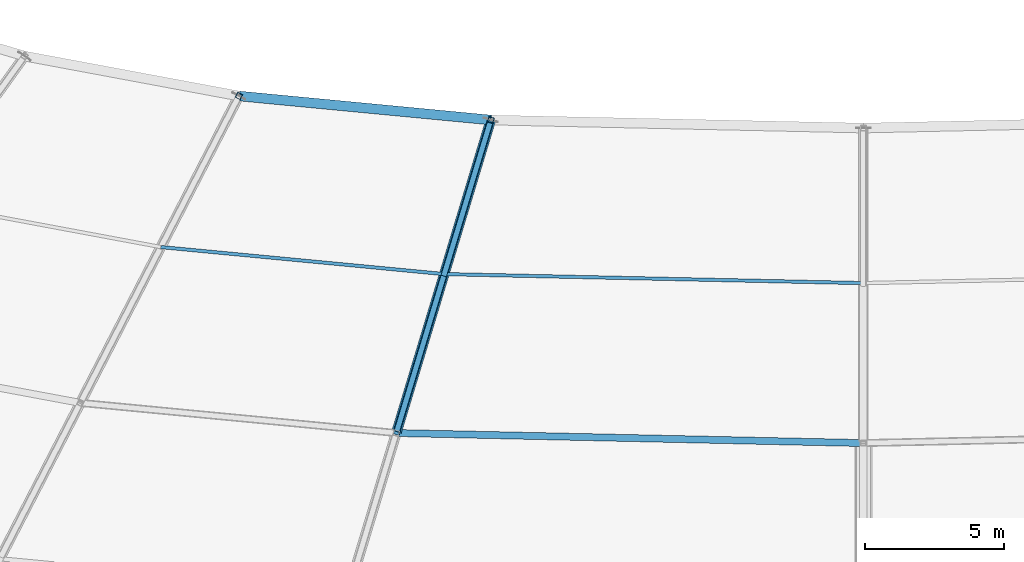
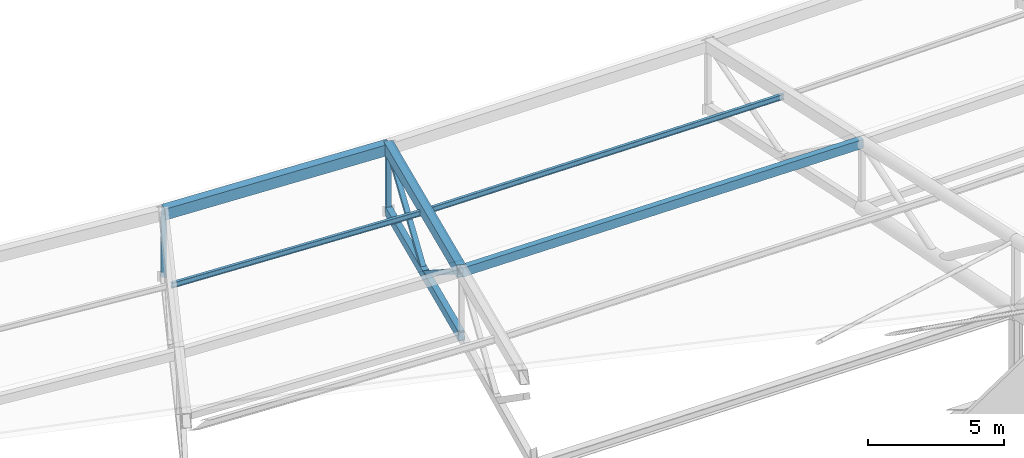
# One storey, part 32 of 143: 6 members, 4 beams.
"""IFC4 building model written with IfcOpenShell, lengths in metres."""

from ifc_helpers import new_model, si_unit, direction, frame, origin, origin_2d, place, context, subcontext, project, spatial, hollow_rectangle, i_section, extrude, material, material_profile, profile_set, type_object, element, save


model = new_model("IFC4")

# Units and contexts
model_context = context("Model", 3, precision=1e-05, world=origin(), true_north=direction((0.0, 1.0)))
body_context = subcontext(model_context, "Body", "Model", "MODEL_VIEW")
ifc_project = project(units=[si_unit("LENGTHUNIT", "METRE"), si_unit("AREAUNIT", "SQUARE_METRE"), si_unit("VOLUMEUNIT", "CUBIC_METRE"), si_unit("PLANEANGLEUNIT", "RADIAN"), si_unit("MASSUNIT", "GRAM", prefix="KILO")], contexts=[model_context])

# Site, building, storey
site_placement = place(None, origin())
site = spatial("IfcSite", under=ifc_project, at=site_placement, CompositionType="ELEMENT")
building_placement = place(site_placement, origin())
building = spatial("IfcBuilding", under=site, at=building_placement, Name="Mphavela Belvedere Stadium", CompositionType="ELEMENT")
storey_placement = place(building_placement, frame((0.0, 0.0, 28.800048828125)))
storey = spatial("IfcBuildingStorey", under=building, at=storey_placement, Name="RF", CompositionType="ELEMENT", Elevation=28.800048828125)

# Beams
ifc_material_1 = material(Name="Steel S355", Category="steel")
ifc_material_profile_1 = material_profile(ifc_material_1, hollow_rectangle(XDim=0.35009765625, YDim=0.5, WallThickness=0.02001953125, at=origin_2d()), Name="RHS 500x350x20")
ifc_profile_set_1 = profile_set([ifc_material_profile_1], Name="Steel S355")
beam_type_1 = type_object("IfcBeamType", Name="BM-RING-IN", PredefinedType="BEAM", material=ifc_profile_set_1)
beam_1_placement = place(storey_placement, frame((92.616455078125, 43.668701171875, 6.90673828125), z_axis=(0.994977937372, -0.094866111189, 0.03192687099), x_axis=(0.094914497887, 0.995485428367, 0.0)))
element("IfcBeam", 1, at=beam_1_placement, inside=storey, type_object=beam_type_1, Name="Inner tension ring beam RB-IN-35", PredefinedType="BEAM", context=body_context, shape_type="SweptSolid", body=[
    extrude(hollow_rectangle(XDim=0.35009765625, YDim=0.5, WallThickness=0.02001953125, at=origin_2d()), origin(), (0.0, 0.0, 1.0), 9.076904296875),
])
ifc_material_2 = material(Name="Steel S355", Category="steel")
ifc_material_profile_2 = material_profile(ifc_material_2, hollow_rectangle(XDim=0.25, YDim=0.39990234375, WallThickness=0.01611328125, at=origin_2d()), Name="RHS 400x250x16")
ifc_profile_set_2 = profile_set([ifc_material_profile_2], Name="Steel S355")
beam_type_2 = type_object("IfcBeamType", Name="BM-RING-MID", PredefinedType="BEAM", material=ifc_profile_set_2)
beam_2_placement = place(storey_placement, frame((98.257568359375, 31.586669921875, 9.63427734375), z_axis=(0.999741146043, -0.021517679857, 0.007391235561), x_axis=(0.02151826764, 0.999768455272, 0.0)))
element("IfcBeam", 2, at=beam_2_placement, inside=storey, type_object=beam_type_2, Name="Intermediate roof ring beam RB-MID-36", PredefinedType="BEAM", context=body_context, shape_type="SweptSolid", body=[
    extrude(hollow_rectangle(XDim=0.25, YDim=0.39990234375, WallThickness=0.01611328125, at=origin_2d()), origin(), (0.0, 0.0, 1.0), 16.746826171875),
])
ifc_material_3 = material(Name="Steel S355", Category="steel")
ifc_material_profile_3 = material_profile(ifc_material_3, hollow_rectangle(XDim=0.25, YDim=0.39990234375, WallThickness=0.01611328125, at=origin_2d()), Name="RHS 400x250x16")
ifc_profile_set_3 = profile_set([ifc_material_profile_3], Name="Steel S355")
beam_type_3 = type_object("IfcBeamType", Name="BM-TRUSS-BC2", PredefinedType="BEAM", material=ifc_profile_set_3)
beam_3_placement = place(storey_placement, frame((98.257568359375, 31.586669921875, 6.734375), z_axis=(0.283393510492, 0.937998641489, -0.199616298871), x_axis=(-0.957264409521, 0.289214194439, 0.0)))
element("IfcBeam", 3, at=beam_3_placement, inside=storey, type_object=beam_type_3, Name="Radial roof truss RT-36 bottom chord 3", PredefinedType="BEAM", context=body_context, shape_type="SweptSolid", body=[
    extrude(hollow_rectangle(XDim=0.25, YDim=0.39990234375, WallThickness=0.01611328125, at=origin_2d()), origin(), (0.0, 0.0, 1.0), 11.962646484375),
])
ifc_material_4 = material(Name="Steel S355", Category="steel")
ifc_material_profile_4 = material_profile(ifc_material_4, hollow_rectangle(XDim=0.35009765625, YDim=0.5, WallThickness=0.02001953125, at=origin_2d()), Name="RHS 500x350x20")
ifc_profile_set_4 = profile_set([ifc_material_profile_4], Name="Steel S355")
beam_type_4 = type_object("IfcBeamType", Name="BM-TRUSS-TC2", PredefinedType="BEAM", material=ifc_profile_set_4)
beam_4_placement = place(storey_placement, frame((98.257568359375, 31.586669921875, 9.63427734375), z_axis=(0.283155833182, 0.937211958007, -0.20360874221), x_axis=(-0.957264409521, 0.289214194439, 0.0)))
element("IfcBeam", 4, at=beam_4_placement, inside=storey, type_object=beam_type_4, Name="Radial roof truss RT-36 top chord 3", PredefinedType="BEAM", context=body_context, shape_type="SweptSolid", body=[
    extrude(hollow_rectangle(XDim=0.35009765625, YDim=0.5, WallThickness=0.02001953125, at=origin_2d()), origin(), (0.0, 0.0, 1.0), 11.97265625),
])

# Members
ifc_material_5 = material(Name="Steel S355", Category="steel")
ifc_material_profile_5 = material_profile(ifc_material_5, hollow_rectangle(XDim=0.199951171875, YDim=0.199951171875, WallThickness=0.010009765625, at=origin_2d()), Name="SHS 200x200x10")
ifc_profile_set_5 = profile_set([ifc_material_profile_5], Name="Steel S355")
member_type_1 = type_object("IfcMemberType", Name="MEM-POST-SHS200", PredefinedType="POST", material=ifc_profile_set_5)
member_1_placement = place(storey_placement, frame((92.616455078125, 43.668701171875, 4.056884765625), z_axis=(0.0, 0.0, 1.0), x_axis=(-0.458959712465, -0.888457079624, 0.0)))
element("IfcMember", 5, at=member_1_placement, inside=storey, type_object=member_type_1, Name="Radial roof truss RT-35 post P4", PredefinedType="POST", context=body_context, shape_type="SweptSolid", body=[
    extrude(hollow_rectangle(XDim=0.199951171875, YDim=0.199951171875, WallThickness=0.010009765625, at=origin_2d()), origin(), (0.0, 0.0, 1.0), 2.849853515625),
])
member_2_placement = place(storey_placement, frame((101.647705078125, 42.8076171875, 4.346435546875), z_axis=(0.0, 0.0, 1.0), x_axis=(-0.289198876314, -0.957269037387, 0.0)))
element("IfcMember", 6, at=member_2_placement, inside=storey, type_object=member_type_1, Name="Radial roof truss RT-36 post P4", PredefinedType="POST", context=body_context, shape_type="SweptSolid", body=[
    extrude(hollow_rectangle(XDim=0.199951171875, YDim=0.199951171875, WallThickness=0.010009765625, at=origin_2d()), origin(), (0.0, 0.0, 1.0), 2.85009765625),
])
member_3_placement = place(storey_placement, frame((98.257568359375, 31.586669921875, 9.63427734375), z_axis=(0.237105915859, 0.784775161519, -0.572633155281), x_axis=(-0.957262667334, 0.289219960805, 0.0)))
element("IfcMember", 7, at=member_3_placement, inside=storey, type_object=member_type_1, Name="Radial roof truss RT-36 web diagonal D5", PredefinedType="POST", context=body_context, shape_type="SweptSolid", body=[
    extrude(hollow_rectangle(XDim=0.199951171875, YDim=0.199951171875, WallThickness=0.010009765625, at=origin_2d()), origin(), (0.0, 0.0, 1.0), 7.14892578125),
])
member_4_placement = place(storey_placement, frame((99.95263671875, 37.197021484375, 5.54052734375), z_axis=(0.278312725012, 0.921201891618, 0.271899065787), x_axis=(-0.957266151603, 0.289208428292, 0.0)))
element("IfcMember", 8, at=member_4_placement, inside=storey, type_object=member_type_1, Name="Radial roof truss RT-36 web diagonal D6", PredefinedType="POST", context=body_context, shape_type="SweptSolid", body=[
    extrude(hollow_rectangle(XDim=0.199951171875, YDim=0.199951171875, WallThickness=0.010009765625, at=origin_2d()), origin(), (0.0, 0.0, 1.0), 6.090576171875),
])
ifc_material_6 = material(Name="Steel S355", Category="steel")
ifc_material_profile_6 = material_profile(ifc_material_6, i_section(OverallWidth=0.1201171875, OverallDepth=0.239990234375, WebThickness=0.006103515625, FlangeThickness=0.009765625, at=origin_2d()), Name="IPE 240")
ifc_profile_set_6 = profile_set([ifc_material_profile_6], Name="Steel S355")
member_type_2 = type_object("IfcMemberType", Name="MEM-PURLIN-IPE240", PredefinedType="PURLIN", material=ifc_profile_set_6)
member_5_placement = place(storey_placement, frame((89.818359375, 38.252197265625, 7.910888671875), z_axis=(0.994978938534, -0.094866915638, 0.031893262465), x_axis=(0.094915200851, 0.995485361343, 0.0)))
element("IfcMember", 9, at=member_5_placement, inside=storey, type_object=member_type_2, Name="Saddle canopy steel purlin 35-1", PredefinedType="PURLIN", context=body_context, shape_type="SweptSolid", body=[
    extrude(i_section(OverallWidth=0.1201171875, OverallDepth=0.239990234375, WebThickness=0.006103515625, FlangeThickness=0.009765625, at=origin_2d()), origin(), (0.0, 0.0, 1.0), 10.211669921875),
])
member_6_placement = place(storey_placement, frame((99.978759765625, 37.283447265625, 8.236572265625), z_axis=(0.999740873069, -0.021529680576, 0.007393211066), x_axis=(0.021530269002, 0.999768196892, 0.0)))
element("IfcMember", 10, at=member_6_placement, inside=storey, type_object=member_type_2, Name="Saddle canopy steel purlin 36-1", PredefinedType="PURLIN", context=body_context, shape_type="SweptSolid", body=[
    extrude(i_section(OverallWidth=0.1201171875, OverallDepth=0.239990234375, WebThickness=0.006103515625, FlangeThickness=0.009765625, at=origin_2d()), origin(), (0.0, 0.0, 1.0), 15.025146484375),
])

save(model, "model.ifc")
